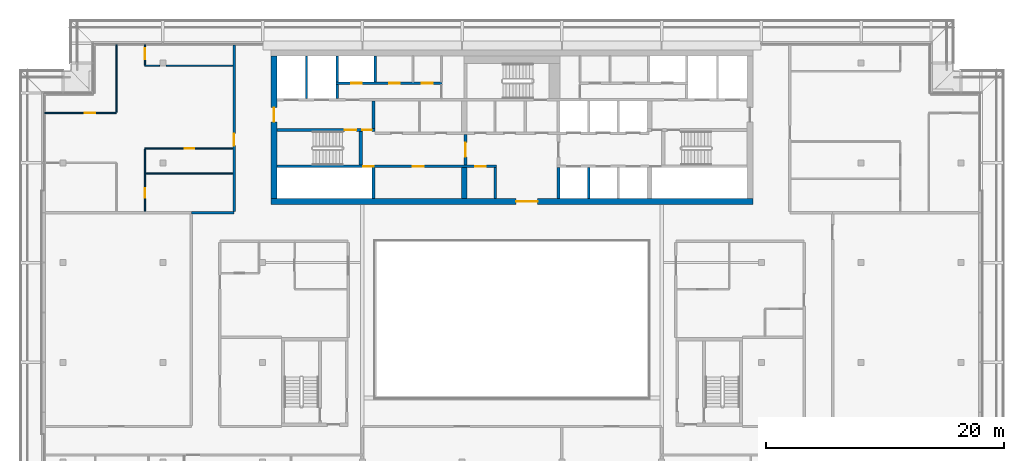
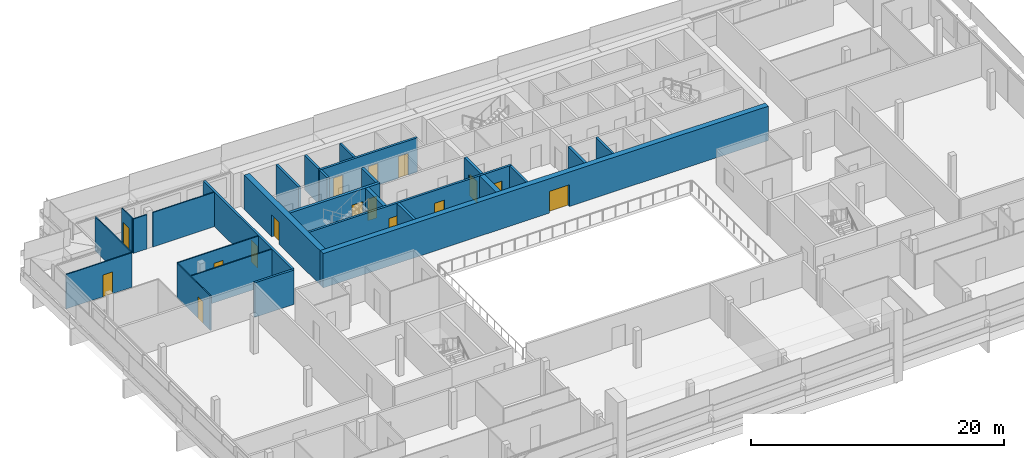
# One storey, part 19 of 33: 27 walls, 16 doors, 16 openings.
"""IFC4 building model written with IfcOpenShell, lengths in metres."""

from ifc_helpers import new_model, si_unit, direction, frame, frame_2d, origin, place, context, subcontext, project, spatial, rectangle, extrude, material, layer, layer_set, type_object, element, fill, save


model = new_model("IFC4")

# Units and contexts
model_context = context("Model", 3, precision=1e-05, world=origin(), true_north=direction((0.0, 1.0)))
body_context = subcontext(model_context, "Body", "Model", "MODEL_VIEW")
ifc_project = project(units=[si_unit("LENGTHUNIT", "METRE"), si_unit("AREAUNIT", "SQUARE_METRE"), si_unit("VOLUMEUNIT", "CUBIC_METRE"), si_unit("PLANEANGLEUNIT", "RADIAN"), si_unit("MASSUNIT", "GRAM", prefix="KILO")], contexts=[model_context])

# Site, building, storey
site_placement = place(None, origin())
site = spatial("IfcSite", under=ifc_project, at=site_placement, CompositionType="ELEMENT")
building_placement = place(site_placement, origin())
building = spatial("IfcBuilding", under=site, at=building_placement, Name="Saffron Gate Tower", CompositionType="ELEMENT")
storey_placement = place(building_placement, frame((0.0, 0.0, 263.550048828125)))
storey = spatial("IfcBuildingStorey", under=building, at=storey_placement, Name="L63", CompositionType="ELEMENT", Elevation=263.550048828125)

# Wall
ifc_material_1 = material(Name="Gypsum board partition on steel studs", Category="steel")
ifc_layer_1 = layer(ifc_material_1, 0.199951171875)
ifc_layer_set_1 = layer_set([ifc_layer_1], Name="CW10 Core partition 200")
wall_type_1 = type_object("IfcWallType", Name="CW10 Core partition 200", PredefinedType="PARTITIONING", material=ifc_layer_set_1)
wall_1_placement = place(storey_placement, frame((86.199951171875, 62.39990234375, 0.0), z_axis=(0.0, 0.0, 1.0), x_axis=(0.0, 1.0, 0.0)))
element("IfcWall", 1, at=wall_1_placement, inside=storey, type_object=wall_type_1, Name="Wall CW10-L63-7", PredefinedType="PARTITIONING", context=body_context, shape_type="SweptSolid", body=[
    extrude(rectangle(XDim=2.60009765625, YDim=0.199951171875, at=frame_2d((1.300048828125, 0.0))), origin(), (0.0, 0.0, 1.0), 3.320068359375),
])

# Wall, opening, door
ifc_material_2 = material(Name="Concrete C50", Category="concrete")
ifc_layer_2 = layer(ifc_material_2, 0.5)
ifc_layer_set_2 = layer_set([ifc_layer_2], Name="CW22 RC core wall 500 C50")
wall_type_2 = type_object("IfcWallType", Name="CW22 RC core wall 500 C50", PredefinedType="SOLIDWALL", material=ifc_layer_set_2)
wall_2_placement = place(storey_placement, frame((67.300048828125, 62.14990234375, 0.0), z_axis=(0.0, 0.0, 1.0), x_axis=(1.0, 0.0, 0.0)))
wall_2 = element("IfcWall", 2, at=wall_2_placement, inside=storey, type_object=wall_type_2, Name="Wall CW22-L63-1", PredefinedType="SOLIDWALL", context=body_context, shape_type="SweptSolid", body=[
    extrude(rectangle(XDim=40.599853515625, YDim=0.5, at=frame_2d((20.2998046875, 0.0))), origin(), (0.0, 0.0, 1.0), 3.320068359375),
])
opening_1_placement = place(wall_2_placement, frame((20.64990234375, 0.0, 0.0)))
opening_1 = element("IfcOpeningElement", 3, at=opening_1_placement, cuts=wall_2, Name="Opening CR-09", PredefinedType="OPENING", context=body_context, shape_type="SweptSolid", body=[
    extrude(rectangle(XDim=1.800048828125, YDim=2.10009765625, at=frame_2d((0.89990234375, 1.050048828125))), frame((0.0, 0.260009765625, 0.0), z_axis=(0.0, -1.0, 0.0), x_axis=(1.0, 0.0, 0.0)), (0.0, 0.0, 1.0), 0.52001953125),
])
ifc_material_3 = material(Name="Steel fire door set", Category="steel")
door_type_1 = type_object("IfcDoorType", Name="CD1 Core entrance door 1800x2100 EI 120", OperationType="NOTDEFINED", PredefinedType="DOOR", material=ifc_material_3)
door_1_placement = place(opening_1_placement, origin())
door_1 = element("IfcDoor", 4, at=door_1_placement, inside=storey, type_object=door_type_1, Name="DOOR CR-09", OperationType="DOUBLE_DOOR_SINGLE_SWING", OverallHeight=2.10009765625, OverallWidth=1.800048828125, PredefinedType="DOOR", context=body_context, shape_type="SweptSolid", body=[
    extrude(rectangle(XDim=1.800048828125, YDim=2.10009765625, at=frame_2d((0.89990234375, 1.050048828125))), frame((0.0, 0.02490234375, 0.0), z_axis=(0.0, -1.0, 0.0), x_axis=(1.0, 0.0, 0.0)), (0.0, 0.0, 1.0), 0.050048828125),
])
fill(opening_1, door_1)

wall_3_placement = place(storey_placement, frame((67.550048828125, 62.39990234375, 0.0), z_axis=(0.0, 0.0, 1.0), x_axis=(0.0, 1.0, 0.0)))
wall_3 = element("IfcWall", 5, at=wall_3_placement, inside=storey, type_object=wall_type_2, Name="Wall CW22-L63-3", PredefinedType="SOLIDWALL", context=body_context, shape_type="SweptSolid", body=[
    extrude(rectangle(XDim=12.0, YDim=0.5, at=frame_2d((6.0, 0.0))), origin(), (0.0, 0.0, 1.0), 3.320068359375),
])
opening_2_placement = place(wall_3_placement, frame((6.449951171875, 0.0, 0.0)))
opening_2 = element("IfcOpeningElement", 6, at=opening_2_placement, cuts=wall_3, Name="Opening CR-10", PredefinedType="OPENING", context=body_context, shape_type="SweptSolid", body=[
    extrude(rectangle(XDim=1.199951171875, YDim=2.10009765625, at=frame_2d((0.60009765625, 1.050048828125))), frame((0.0, 0.260009765625, 0.0), z_axis=(0.0, -1.0, 0.0), x_axis=(1.0, 0.0, 0.0)), (0.0, 0.0, 1.0), 0.52001953125),
])
door_type_2 = type_object("IfcDoorType", Name="CD7 Core entrance door 1200x2100 EI 120", OperationType="NOTDEFINED", PredefinedType="DOOR", material=ifc_material_3)
door_2_placement = place(opening_2_placement, origin())
door_2 = element("IfcDoor", 7, at=door_2_placement, inside=storey, type_object=door_type_2, Name="DOOR CR-10", OperationType="SINGLE_SWING_LEFT", OverallHeight=2.10009765625, OverallWidth=1.199951171875, PredefinedType="DOOR", context=body_context, shape_type="SweptSolid", body=[
    extrude(rectangle(XDim=1.199951171875, YDim=2.10009765625, at=frame_2d((0.60009765625, 1.050048828125))), frame((0.0, 0.02490234375, 0.0), z_axis=(0.0, -1.0, 0.0), x_axis=(1.0, 0.0, 0.0)), (0.0, 0.0, 1.0), 0.050048828125),
])
fill(opening_2, door_2)

# Walls
ifc_layer_3 = layer(ifc_material_2, 0.25)
ifc_layer_set_3 = layer_set([ifc_layer_3], Name="CW23 RC core wall 250 C50")
wall_type_3 = type_object("IfcWallType", Name="CW23 RC core wall 250 C50", PredefinedType="SOLIDWALL", material=ifc_layer_set_3)
for number, where, z_axis, x_axis, name in (
    (8, (75.925048828125, 62.39990234375, 0.0), (0.0, 0.0, 1.0), (0.0, 1.0, 0.0), "Wall CW23-L63-5"),
    (9, (91.52490234375, 62.39990234375, 0.0), (0.0, 0.0, 1.0), (0.0, 1.0, 0.0), "Wall CW23-L63-8"),
):
    element("IfcWall", number, at=place(storey_placement, frame(where, z_axis=z_axis, x_axis=x_axis)), inside=storey, type_object=wall_type_3, Name=name, PredefinedType="SOLIDWALL", context=body_context, shape_type="SweptSolid", body=[
        extrude(rectangle(XDim=2.60009765625, YDim=0.25, at=frame_2d((1.300048828125, 0.0))), origin(), (0.0, 0.0, 1.0), 3.320068359375),
    ])

# Wall, opening, door
wall_4_placement = place(storey_placement, frame((83.675048828125, 65.199951171875, 0.0), z_axis=(0.0, 0.0, 1.0), x_axis=(0.0, 1.0, 0.0)))
wall_4 = element("IfcWall", 10, at=wall_4_placement, inside=storey, type_object=wall_type_3, Name="Wall CW23-L63-15", PredefinedType="SOLIDWALL", context=body_context, shape_type="SweptSolid", body=[
    extrude(rectangle(XDim=2.60009765625, YDim=0.25, at=frame_2d((1.300048828125, 0.0))), origin(), (0.0, 0.0, 1.0), 3.320068359375),
])
opening_3_placement = place(wall_4_placement, frame((0.699951171875, 0.0, 0.0)))
opening_3 = element("IfcOpeningElement", 11, at=opening_3_placement, cuts=wall_4, Name="Opening CR-07", PredefinedType="OPENING", context=body_context, shape_type="SweptSolid", body=[
    extrude(rectangle(XDim=1.199951171875, YDim=2.10009765625, at=frame_2d((0.60009765625, 1.050048828125))), frame((0.0, 0.135009765625, 0.0), z_axis=(0.0, -1.0, 0.0), x_axis=(1.0, 0.0, 0.0)), (0.0, 0.0, 1.0), 0.27001953125),
])
door_type_3 = type_object("IfcDoorType", Name="CD3 Lobby door 1200x2100 EI 120", OperationType="NOTDEFINED", PredefinedType="DOOR", material=ifc_material_3)
door_3_placement = place(opening_3_placement, origin())
door_3 = element("IfcDoor", 12, at=door_3_placement, inside=storey, type_object=door_type_3, Name="DOOR CR-07", OperationType="SINGLE_SWING_RIGHT", OverallHeight=2.10009765625, OverallWidth=1.199951171875, PredefinedType="DOOR", context=body_context, shape_type="SweptSolid", body=[
    extrude(rectangle(XDim=1.199951171875, YDim=2.10009765625, at=frame_2d((0.60009765625, 1.050048828125))), frame((0.0, 0.02490234375, 0.0), z_axis=(0.0, -1.0, 0.0), x_axis=(1.0, 0.0, 0.0)), (0.0, 0.0, 1.0), 0.050048828125),
])
fill(opening_3, door_3)

# Wall, openings, doors
wall_5_placement = place(storey_placement, frame((67.800048828125, 68.175048828125, 0.0), z_axis=(0.0, 0.0, 1.0), x_axis=(1.0, 0.0, 0.0)))
wall_5 = element("IfcWall", 13, at=wall_5_placement, inside=storey, type_object=wall_type_3, Name="Wall CW23-L63-27", PredefinedType="SOLIDWALL", context=body_context, shape_type="SweptSolid", body=[
    extrude(rectangle(XDim=8.25, YDim=0.25, at=frame_2d((4.125, 0.0))), origin(), (0.0, 0.0, 1.0), 3.320068359375),
])
opening_4_placement = place(wall_5_placement, frame((5.699951171875, 0.0, 0.0)))
opening_4 = element("IfcOpeningElement", 14, at=opening_4_placement, cuts=wall_5, Name="Opening CR-15", PredefinedType="OPENING", context=body_context, shape_type="SweptSolid", body=[
    extrude(rectangle(XDim=1.0, YDim=2.10009765625, at=frame_2d((0.5, 1.050048828125))), frame((0.0, 0.135009765625, 0.0), z_axis=(0.0, -1.0, 0.0), x_axis=(1.0, 0.0, 0.0)), (0.0, 0.0, 1.0), 0.27001953125),
])
opening_5_placement = place(wall_5_placement, frame((7.199951171875, 0.0, 0.0)))
opening_5 = element("IfcOpeningElement", 15, at=opening_5_placement, cuts=wall_5, Name="Opening CR-06", PredefinedType="OPENING", context=body_context, shape_type="SweptSolid", body=[
    extrude(rectangle(XDim=0.800048828125, YDim=2.10009765625, at=frame_2d((0.39990234375, 1.050048828125))), frame((0.0, 0.135009765625, 0.0), z_axis=(0.0, -1.0, 0.0), x_axis=(1.0, 0.0, 0.0)), (0.0, 0.0, 1.0), 0.27001953125),
])
door_type_4 = type_object("IfcDoorType", Name="CD5 Stair door 1000x2100 EI 120", OperationType="NOTDEFINED", PredefinedType="DOOR", material=ifc_material_3)
door_4_placement = place(opening_4_placement, origin())
door_4 = element("IfcDoor", 16, at=door_4_placement, inside=storey, type_object=door_type_4, Name="DOOR CR-15", OperationType="SINGLE_SWING_RIGHT", OverallHeight=2.10009765625, OverallWidth=1.0, PredefinedType="DOOR", context=body_context, shape_type="SweptSolid", body=[
    extrude(rectangle(XDim=1.0, YDim=2.10009765625, at=frame_2d((0.5, 1.050048828125))), frame((0.0, 0.02490234375, 0.0), z_axis=(0.0, -1.0, 0.0), x_axis=(1.0, 0.0, 0.0)), (0.0, 0.0, 1.0), 0.050048828125),
])
fill(opening_4, door_4)
door_type_5 = type_object("IfcDoorType", Name="CD6 Lobby door 800x2100 EI 120", OperationType="NOTDEFINED", PredefinedType="DOOR", material=ifc_material_3)
door_5_placement = place(opening_5_placement, origin())
door_5 = element("IfcDoor", 17, at=door_5_placement, inside=storey, type_object=door_type_5, Name="DOOR CR-06", OperationType="SINGLE_SWING_LEFT", OverallHeight=2.10009765625, OverallWidth=0.800048828125, PredefinedType="DOOR", context=body_context, shape_type="SweptSolid", body=[
    extrude(rectangle(XDim=0.800048828125, YDim=2.10009765625, at=frame_2d((0.39990234375, 1.050048828125))), frame((0.0, 0.02490234375, 0.0), z_axis=(0.0, -1.0, 0.0), x_axis=(1.0, 0.0, 0.0)), (0.0, 0.0, 1.0), 0.050048828125),
])
fill(opening_5, door_5)

# Walls
wall_6_placement = place(storey_placement, frame((75.925048828125, 68.300048828125, 0.0), z_axis=(0.0, 0.0, 1.0), x_axis=(0.0, 1.0, 0.0)))
element("IfcWall", 18, at=wall_6_placement, inside=storey, type_object=wall_type_3, Name="Wall CW23-L63-29", PredefinedType="SOLIDWALL", context=body_context, shape_type="SweptSolid", body=[
    extrude(rectangle(XDim=2.300048828125, YDim=0.25, at=frame_2d((1.14990234375, 0.0))), origin(), (0.0, 0.0, 1.0), 3.320068359375),
])
ifc_layer_4 = layer(ifc_material_2, 0.449951171875)
ifc_layer_set_4 = layer_set([ifc_layer_4], Name="CW24 RC core wall 450 C50")
wall_type_4 = type_object("IfcWallType", Name="CW24 RC core wall 450 C50", PredefinedType="SOLIDWALL", material=ifc_layer_set_4)
wall_7_placement = place(storey_placement, frame((83.574951171875, 62.39990234375, 0.0), z_axis=(0.0, 0.0, 1.0), x_axis=(0.0, 1.0, 0.0)))
element("IfcWall", 19, at=wall_7_placement, inside=storey, type_object=wall_type_4, Name="Wall CW24-L63-6", PredefinedType="SOLIDWALL", context=body_context, shape_type="SweptSolid", body=[
    extrude(rectangle(XDim=2.60009765625, YDim=0.449951171875, at=frame_2d((1.300048828125, 0.0))), origin(), (0.0, 0.0, 1.0), 3.320068359375),
])
ifc_layer_5 = layer(ifc_material_2, 0.199951171875)
ifc_layer_set_5 = layer_set([ifc_layer_5], Name="CW25 RC core wall 200 C50")
wall_type_5 = type_object("IfcWallType", Name="CW25 RC core wall 200 C50", PredefinedType="SOLIDWALL", material=ifc_layer_set_5)
wall_8_placement = place(storey_placement, frame((94.050048828125, 62.39990234375, 0.0), z_axis=(0.0, 0.0, 1.0), x_axis=(0.0, 1.0, 0.0)))
element("IfcWall", 20, at=wall_8_placement, inside=storey, type_object=wall_type_5, Name="Wall CW25-L63-9", PredefinedType="SOLIDWALL", context=body_context, shape_type="SweptSolid", body=[
    extrude(rectangle(XDim=2.60009765625, YDim=0.199951171875, at=frame_2d((1.300048828125, 0.0))), origin(), (0.0, 0.0, 1.0), 3.320068359375),
])

# Wall, openings, doors
wall_9_placement = place(storey_placement, frame((67.800048828125, 65.10009765625, 0.0), z_axis=(0.0, 0.0, 1.0), x_axis=(1.0, 0.0, 0.0)))
wall_9 = element("IfcWall", 21, at=wall_9_placement, inside=storey, type_object=wall_type_5, Name="Wall CW25-L63-12", PredefinedType="SOLIDWALL", context=body_context, shape_type="SweptSolid", body=[
    extrude(rectangle(XDim=18.5, YDim=0.199951171875, at=frame_2d((9.25, 0.0))), origin(), (0.0, 0.0, 1.0), 3.320068359375),
])
opening_6_placement = place(wall_9_placement, frame((7.27001953125, 0.0, 0.0)))
opening_6 = element("IfcOpeningElement", 22, at=opening_6_placement, cuts=wall_9, Name="Opening CR-49", PredefinedType="OPENING", context=body_context, shape_type="SweptSolid", body=[
    extrude(rectangle(XDim=0.89990234375, YDim=2.10009765625, at=frame_2d((0.449951171875, 1.050048828125))), frame((0.0, 0.10986328125, 0.0), z_axis=(0.0, -1.0, 0.0), x_axis=(1.0, 0.0, 0.0)), (0.0, 0.0, 1.0), 0.219970703125),
])
opening_7_placement = place(wall_9_placement, frame((11.449951171875, 0.0, 0.0)))
opening_7 = element("IfcOpeningElement", 23, at=opening_7_placement, cuts=wall_9, Name="Opening CR-64", PredefinedType="OPENING", context=body_context, shape_type="SweptSolid", body=[
    extrude(rectangle(XDim=0.89990234375, YDim=2.10009765625, at=frame_2d((0.449951171875, 1.050048828125))), frame((0.0, 0.10986328125, 0.0), z_axis=(0.0, -1.0, 0.0), x_axis=(1.0, 0.0, 0.0)), (0.0, 0.0, 1.0), 0.219970703125),
])
opening_8_placement = place(wall_9_placement, frame((16.699951171875, 0.0, 0.0)))
opening_8 = element("IfcOpeningElement", 24, at=opening_8_placement, cuts=wall_9, Name="Opening CR-69", PredefinedType="OPENING", context=body_context, shape_type="SweptSolid", body=[
    extrude(rectangle(XDim=0.89990234375, YDim=2.10009765625, at=frame_2d((0.449951171875, 1.050048828125))), frame((0.0, 0.10986328125, 0.0), z_axis=(0.0, -1.0, 0.0), x_axis=(1.0, 0.0, 0.0)), (0.0, 0.0, 1.0), 0.219970703125),
])
door_type_6 = type_object("IfcDoorType", Name="CD2 Riser door 900x2100 EI 60", OperationType="NOTDEFINED", PredefinedType="DOOR", material=ifc_material_3)
door_6_placement = place(opening_6_placement, origin())
door_6 = element("IfcDoor", 25, at=door_6_placement, inside=storey, type_object=door_type_6, Name="DOOR CR-49", OperationType="SINGLE_SWING_LEFT", OverallHeight=2.10009765625, OverallWidth=0.89990234375, PredefinedType="DOOR", context=body_context, shape_type="SweptSolid", body=[
    extrude(rectangle(XDim=0.89990234375, YDim=2.10009765625, at=frame_2d((0.449951171875, 1.050048828125))), frame((0.0, 0.02490234375, 0.0), z_axis=(0.0, -1.0, 0.0), x_axis=(1.0, 0.0, 0.0)), (0.0, 0.0, 1.0), 0.050048828125),
])
fill(opening_6, door_6)
door_type_7 = type_object("IfcDoorType", Name="CD9 Room door 900x2100 EI 60", OperationType="NOTDEFINED", PredefinedType="DOOR", material=ifc_material_3)
door_7_placement = place(opening_7_placement, origin())
door_7 = element("IfcDoor", 26, at=door_7_placement, inside=storey, type_object=door_type_7, Name="DOOR CR-64", OperationType="SINGLE_SWING_RIGHT", OverallHeight=2.10009765625, OverallWidth=0.89990234375, PredefinedType="DOOR", context=body_context, shape_type="SweptSolid", body=[
    extrude(rectangle(XDim=0.89990234375, YDim=2.10009765625, at=frame_2d((0.449951171875, 1.050048828125))), frame((0.0, 0.02490234375, 0.0), z_axis=(0.0, -1.0, 0.0), x_axis=(1.0, 0.0, 0.0)), (0.0, 0.0, 1.0), 0.050048828125),
])
fill(opening_7, door_7)
door_8_placement = place(opening_8_placement, origin())
door_8 = element("IfcDoor", 27, at=door_8_placement, inside=storey, type_object=door_type_7, Name="DOOR CR-69", OperationType="SINGLE_SWING_RIGHT", OverallHeight=2.10009765625, OverallWidth=0.89990234375, PredefinedType="DOOR", context=body_context, shape_type="SweptSolid", body=[
    extrude(rectangle(XDim=0.89990234375, YDim=2.10009765625, at=frame_2d((0.449951171875, 1.050048828125))), frame((0.0, 0.02490234375, 0.0), z_axis=(0.0, -1.0, 0.0), x_axis=(1.0, 0.0, 0.0)), (0.0, 0.0, 1.0), 0.050048828125),
])
fill(opening_8, door_8)

# Walls
wall_10_placement = place(storey_placement, frame((70.300048828125, 70.800048828125, 0.0), z_axis=(0.0, 0.0, 1.0), x_axis=(0.0, 1.0, 0.0)))
element("IfcWall", 28, at=wall_10_placement, inside=storey, type_object=wall_type_5, Name="Wall CW25-L63-32", PredefinedType="SOLIDWALL", context=body_context, shape_type="SweptSolid", body=[
    extrude(rectangle(XDim=3.599853515625, YDim=0.199951171875, at=frame_2d((1.7998046875, 0.0))), origin(), (0.0, 0.0, 1.0), 3.320068359375),
])
wall_11_placement = place(storey_placement, frame((72.89990234375, 70.800048828125, 0.0), z_axis=(0.0, 0.0, 1.0), x_axis=(0.0, 1.0, 0.0)))
element("IfcWall", 29, at=wall_11_placement, inside=storey, type_object=wall_type_5, Name="Wall CW25-L63-33", PredefinedType="SOLIDWALL", context=body_context, shape_type="SweptSolid", body=[
    extrude(rectangle(XDim=1.199951171875, YDim=0.199951171875, at=frame_2d((0.60009765625, 0.0))), origin(), (0.0, 0.0, 1.0), 3.320068359375),
])

# Wall, openings, doors
wall_12_placement = place(storey_placement, frame((72.800048828125, 72.10009765625, 0.0), z_axis=(0.0, 0.0, 1.0), x_axis=(1.0, 0.0, 0.0)))
wall_12 = element("IfcWall", 30, at=wall_12_placement, inside=storey, type_object=wall_type_5, Name="Wall CW25-L63-40", PredefinedType="SOLIDWALL", context=body_context, shape_type="SweptSolid", body=[
    extrude(rectangle(XDim=8.919921875, YDim=0.199951171875, at=frame_2d((4.4599609375, 0.0))), origin(), (0.0, 0.0, 1.0), 3.320068359375),
])
opening_9_placement = place(wall_12_placement, frame((1.25, 0.0, 0.0)))
opening_9 = element("IfcOpeningElement", 31, at=opening_9_placement, cuts=wall_12, Name="Opening CR-71", PredefinedType="OPENING", context=body_context, shape_type="SweptSolid", body=[
    extrude(rectangle(XDim=0.89990234375, YDim=2.10009765625, at=frame_2d((0.449951171875, 1.050048828125))), frame((0.0, 0.10986328125, 0.0), z_axis=(0.0, -1.0, 0.0), x_axis=(1.0, 0.0, 0.0)), (0.0, 0.0, 1.0), 0.219970703125),
])
opening_10_placement = place(wall_12_placement, frame((4.449951171875, 0.0, 0.0)))
opening_10 = element("IfcOpeningElement", 32, at=opening_10_placement, cuts=wall_12, Name="Opening CR-55", PredefinedType="OPENING", context=body_context, shape_type="SweptSolid", body=[
    extrude(rectangle(XDim=0.89990234375, YDim=2.10009765625, at=frame_2d((0.449951171875, 1.050048828125))), frame((0.0, 0.10986328125, 0.0), z_axis=(0.0, -1.0, 0.0), x_axis=(1.0, 0.0, 0.0)), (0.0, 0.0, 1.0), 0.219970703125),
])
opening_11_placement = place(wall_12_placement, frame((7.2099609375, 0.0, 0.0)))
opening_11 = element("IfcOpeningElement", 33, at=opening_11_placement, cuts=wall_12, Name="Opening CR-58", PredefinedType="OPENING", context=body_context, shape_type="SweptSolid", body=[
    extrude(rectangle(XDim=0.89990234375, YDim=2.10009765625, at=frame_2d((0.449951171875, 1.050048828125))), frame((0.0, 0.10986328125, 0.0), z_axis=(0.0, -1.0, 0.0), x_axis=(1.0, 0.0, 0.0)), (0.0, 0.0, 1.0), 0.219970703125),
])
door_9_placement = place(opening_9_placement, origin())
door_9 = element("IfcDoor", 34, at=door_9_placement, inside=storey, type_object=door_type_6, Name="DOOR CR-71", OperationType="SINGLE_SWING_LEFT", OverallHeight=2.10009765625, OverallWidth=0.89990234375, PredefinedType="DOOR", context=body_context, shape_type="SweptSolid", body=[
    extrude(rectangle(XDim=0.89990234375, YDim=2.10009765625, at=frame_2d((0.449951171875, 1.050048828125))), frame((0.0, 0.02490234375, 0.0), z_axis=(0.0, -1.0, 0.0), x_axis=(1.0, 0.0, 0.0)), (0.0, 0.0, 1.0), 0.050048828125),
])
fill(opening_9, door_9)
door_10_placement = place(opening_10_placement, origin())
door_10 = element("IfcDoor", 35, at=door_10_placement, inside=storey, type_object=door_type_7, Name="DOOR CR-55", OperationType="SINGLE_SWING_LEFT", OverallHeight=2.10009765625, OverallWidth=0.89990234375, PredefinedType="DOOR", context=body_context, shape_type="SweptSolid", body=[
    extrude(rectangle(XDim=0.89990234375, YDim=2.10009765625, at=frame_2d((0.449951171875, 1.050048828125))), frame((0.0, 0.02490234375, 0.0), z_axis=(0.0, -1.0, 0.0), x_axis=(1.0, 0.0, 0.0)), (0.0, 0.0, 1.0), 0.050048828125),
])
fill(opening_10, door_10)
door_11_placement = place(opening_11_placement, origin())
door_11 = element("IfcDoor", 36, at=door_11_placement, inside=storey, type_object=door_type_7, Name="DOOR CR-58", OperationType="SINGLE_SWING_LEFT", OverallHeight=2.10009765625, OverallWidth=0.89990234375, PredefinedType="DOOR", context=body_context, shape_type="SweptSolid", body=[
    extrude(rectangle(XDim=0.89990234375, YDim=2.10009765625, at=frame_2d((0.449951171875, 1.050048828125))), frame((0.0, 0.02490234375, 0.0), z_axis=(0.0, -1.0, 0.0), x_axis=(1.0, 0.0, 0.0)), (0.0, 0.0, 1.0), 0.050048828125),
])
fill(opening_11, door_11)

# Walls
for number, where, z_axis, x_axis, name in (
    (37, (72.89990234375, 72.199951171875, 0.0), (0.0, 0.0, 1.0), (0.0, 1.0, 0.0), "Wall CW25-L63-42"),
    (38, (76.10009765625, 72.199951171875, 0.0), (0.0, 0.0, 1.0), (0.0, 1.0, 0.0), "Wall CW25-L63-43"),
):
    element("IfcWall", number, at=place(storey_placement, frame(where, z_axis=z_axis, x_axis=x_axis)), inside=storey, type_object=wall_type_5, Name=name, PredefinedType="SOLIDWALL", context=body_context, shape_type="SweptSolid", body=[
        extrude(rectangle(XDim=2.199951171875, YDim=0.199951171875, at=frame_2d((1.10009765625, 0.0))), origin(), (0.0, 0.0, 1.0), 3.320068359375),
    ])
ifc_layer_6 = layer(ifc_material_2, 0.300048828125)
ifc_layer_set_6 = layer_set([ifc_layer_6], Name="CW26 RC core wall 300 C50")
wall_type_6 = type_object("IfcWallType", Name="CW26 RC core wall 300 C50", PredefinedType="SOLIDWALL", material=ifc_layer_set_6)
wall_13_placement = place(storey_placement, frame((74.85009765625, 65.199951171875, 0.0), z_axis=(0.0, 0.0, 1.0), x_axis=(0.0, 1.0, 0.0)))
element("IfcWall", 39, at=wall_13_placement, inside=storey, type_object=wall_type_6, Name="Wall CW26-L63-14", PredefinedType="SOLIDWALL", context=body_context, shape_type="SweptSolid", body=[
    extrude(rectangle(XDim=2.85009765625, YDim=0.300048828125, at=frame_2d((1.425048828125, 0.0))), origin(), (0.0, 0.0, 1.0), 3.320068359375),
])
ifc_material_4 = material(Name="Plasterboard on steel studs", Category="steel")
ifc_layer_7 = layer(ifc_material_4, 0.10009765625)
ifc_layer_set_7 = layer_set([ifc_layer_7], Name="PW1 Partition 100")
wall_type_7 = type_object("IfcWallType", Name="PW1 Partition 100", PredefinedType="PARTITIONING", material=ifc_layer_set_7)
wall_14_placement = place(storey_placement, frame((56.75, 64.5, 0.0), z_axis=(0.0, 0.0, 1.0), x_axis=(1.0, 0.0, 0.0)))
element("IfcWall", 40, at=wall_14_placement, inside=storey, type_object=wall_type_7, Name="Partition E1-29", PredefinedType="PARTITIONING", context=body_context, shape_type="SweptSolid", body=[
    extrude(rectangle(XDim=7.35009765625, YDim=0.10009765625, at=frame_2d((3.675048828125, 0.0))), origin(), (0.0, 0.0, 1.0), 3.320068359375),
])

# Wall, opening, door
wall_15_placement = place(storey_placement, frame((64.10009765625, 66.60009765625, 0.0), z_axis=(0.0, 0.0, 1.0), x_axis=(-1.0, 0.0, 0.0)))
wall_15 = element("IfcWall", 41, at=wall_15_placement, inside=storey, type_object=wall_type_7, Name="Partition E1-32", PredefinedType="PARTITIONING", context=body_context, shape_type="SweptSolid", body=[
    extrude(rectangle(XDim=7.400146484375, YDim=0.10009765625, at=frame_2d((3.7001953125, 0.0))), origin(), (0.0, 0.0, 1.0), 3.320068359375),
])
opening_12_placement = place(wall_15_placement, frame((3.25, 0.0, 0.0)))
opening_12 = element("IfcOpeningElement", 42, at=opening_12_placement, cuts=wall_15, Name="Opening E1-31", PredefinedType="OPENING", context=body_context, shape_type="SweptSolid", body=[
    extrude(rectangle(XDim=0.800048828125, YDim=2.10009765625, at=frame_2d((0.39990234375, 1.050048828125))), frame((0.0, 0.06005859375, 0.0), z_axis=(0.0, -1.0, 0.0), x_axis=(1.0, 0.0, 0.0)), (0.0, 0.0, 1.0), 0.1201171875),
])
ifc_material_5 = material(Name="Timber door set", Category="wood")
door_type_8 = type_object("IfcDoorType", Name="RD2 Bathroom door 800x2100", OperationType="NOTDEFINED", PredefinedType="DOOR", material=ifc_material_5)
door_12_placement = place(opening_12_placement, origin())
door_12 = element("IfcDoor", 43, at=door_12_placement, inside=storey, type_object=door_type_8, Name="Door E1-31", OperationType="SINGLE_SWING_LEFT", OverallHeight=2.10009765625, OverallWidth=0.800048828125, PredefinedType="DOOR", context=body_context, shape_type="SweptSolid", body=[
    extrude(rectangle(XDim=0.800048828125, YDim=2.10009765625, at=frame_2d((0.39990234375, 1.050048828125))), frame((0.0, 0.02490234375, 0.0), z_axis=(0.0, -1.0, 0.0), x_axis=(1.0, 0.0, 0.0)), (0.0, 0.0, 1.0), 0.050048828125),
])
fill(opening_12, door_12)

wall_16_placement = place(storey_placement, frame((48.280029296875, 69.60009765625, 0.0), z_axis=(0.0, 0.0, 1.0), x_axis=(1.0, 0.0, 0.0)))
wall_16 = element("IfcWall", 44, at=wall_16_placement, inside=storey, type_object=wall_type_7, Name="Partition E1-34", PredefinedType="PARTITIONING", context=body_context, shape_type="SweptSolid", body=[
    extrude(rectangle(XDim=6.02001953125, YDim=0.10009765625, at=frame_2d((3.010009765625, 0.0))), origin(), (0.0, 0.0, 1.0), 3.320068359375),
])
opening_13_placement = place(wall_16_placement, frame((3.3388671875, 0.0, 0.0)))
opening_13 = element("IfcOpeningElement", 45, at=opening_13_placement, cuts=wall_16, Name="Opening E1-19", PredefinedType="OPENING", context=body_context, shape_type="SweptSolid", body=[
    extrude(rectangle(XDim=0.89990234375, YDim=2.10009765625, at=frame_2d((0.449951171875, 1.050048828125))), frame((0.0, 0.06005859375, 0.0), z_axis=(0.0, -1.0, 0.0), x_axis=(1.0, 0.0, 0.0)), (0.0, 0.0, 1.0), 0.1201171875),
])
door_type_9 = type_object("IfcDoorType", Name="RD1 Room door 900x2100", OperationType="NOTDEFINED", PredefinedType="DOOR", material=ifc_material_5)
door_13_placement = place(opening_13_placement, origin())
door_13 = element("IfcDoor", 46, at=door_13_placement, inside=storey, type_object=door_type_9, Name="Door E1-19", OperationType="SINGLE_SWING_RIGHT", OverallHeight=2.10009765625, OverallWidth=0.89990234375, PredefinedType="DOOR", context=body_context, shape_type="SweptSolid", body=[
    extrude(rectangle(XDim=0.89990234375, YDim=2.10009765625, at=frame_2d((0.449951171875, 1.050048828125))), frame((0.0, 0.02490234375, 0.0), z_axis=(0.0, -1.0, 0.0), x_axis=(1.0, 0.0, 0.0)), (0.0, 0.0, 1.0), 0.050048828125),
])
fill(opening_13, door_13)

# Walls
wall_17_placement = place(storey_placement, frame((56.699951171875, 73.566650390625, 0.0), z_axis=(0.0, 0.0, 1.0), x_axis=(1.0, 0.0, 0.0)))
element("IfcWall", 47, at=wall_17_placement, inside=storey, type_object=wall_type_7, Name="Partition E1-37", PredefinedType="PARTITIONING", context=body_context, shape_type="SweptSolid", body=[
    extrude(rectangle(XDim=1.22998046875, YDim=0.10009765625, at=frame_2d((0.614990234375, 0.0))), origin(), (0.0, 0.0, 1.0), 3.320068359375),
])
wall_18_placement = place(storey_placement, frame((58.469970703125, 73.566650390625, 0.0), z_axis=(0.0, 0.0, 1.0), x_axis=(1.0, 0.0, 0.0)))
element("IfcWall", 48, at=wall_18_placement, inside=storey, type_object=wall_type_7, Name="Partition E1-38", PredefinedType="PARTITIONING", context=body_context, shape_type="SweptSolid", body=[
    extrude(rectangle(XDim=5.630126953125, YDim=0.10009765625, at=frame_2d((2.81494140625, 0.0))), origin(), (0.0, 0.0, 1.0), 3.320068359375),
])
wall_19_placement = place(storey_placement, frame((54.300048828125, 75.320068359375, 0.0), z_axis=(0.0, 0.0, 1.0), x_axis=(0.0, -1.0, 0.0)))
element("IfcWall", 49, at=wall_19_placement, inside=storey, type_object=wall_type_7, Name="Partition E1-42", PredefinedType="PARTITIONING", context=body_context, shape_type="SweptSolid", body=[
    extrude(rectangle(XDim=5.670166015625, YDim=0.10009765625, at=frame_2d((2.8349609375, 0.0))), origin(), (0.0, 0.0, 1.0), 3.320068359375),
])

# Wall, opening, door
wall_20_placement = place(storey_placement, frame((56.699951171875, 66.550048828125, 0.0), z_axis=(0.0, 0.0, 1.0), x_axis=(0.0, -1.0, 0.0)))
wall_20 = element("IfcWall", 50, at=wall_20_placement, inside=storey, type_object=wall_type_7, Name="Partition E1-43", PredefinedType="PARTITIONING", context=body_context, shape_type="SweptSolid", body=[
    extrude(rectangle(XDim=5.25, YDim=0.10009765625, at=frame_2d((2.625, 0.0))), origin(), (0.0, 0.0, 1.0), 3.320068359375),
])
opening_14_placement = place(wall_20_placement, frame((3.300048828125, 0.0, 0.0)))
opening_14 = element("IfcOpeningElement", 51, at=opening_14_placement, cuts=wall_20, Name="Opening E1-30", PredefinedType="OPENING", context=body_context, shape_type="SweptSolid", body=[
    extrude(rectangle(XDim=0.800048828125, YDim=2.10009765625, at=frame_2d((0.39990234375, 1.050048828125))), frame((0.0, 0.06005859375, 0.0), z_axis=(0.0, -1.0, 0.0), x_axis=(1.0, 0.0, 0.0)), (0.0, 0.0, 1.0), 0.1201171875),
])
door_14_placement = place(opening_14_placement, origin())
door_14 = element("IfcDoor", 52, at=door_14_placement, inside=storey, type_object=door_type_8, Name="Door E1-30", OperationType="SINGLE_SWING_RIGHT", OverallHeight=2.10009765625, OverallWidth=0.800048828125, PredefinedType="DOOR", context=body_context, shape_type="SweptSolid", body=[
    extrude(rectangle(XDim=0.800048828125, YDim=2.10009765625, at=frame_2d((0.39990234375, 1.050048828125))), frame((0.0, 0.02490234375, 0.0), z_axis=(0.0, -1.0, 0.0), x_axis=(1.0, 0.0, 0.0)), (0.0, 0.0, 1.0), 0.050048828125),
])
fill(opening_14, door_14)

wall_21_placement = place(storey_placement, frame((56.699951171875, 75.320068359375, 0.0), z_axis=(0.0, 0.0, 1.0), x_axis=(0.0, -1.0, 0.0)))
wall_21 = element("IfcWall", 53, at=wall_21_placement, inside=storey, type_object=wall_type_7, Name="Partition E1-44", PredefinedType="PARTITIONING", context=body_context, shape_type="SweptSolid", body=[
    extrude(rectangle(XDim=1.703369140625, YDim=0.10009765625, at=frame_2d((0.8515625, 0.0))), origin(), (0.0, 0.0, 1.0), 3.320068359375),
])
opening_15_placement = place(wall_21_placement, frame((0.28662109375, 0.0, 0.0)))
opening_15 = element("IfcOpeningElement", 54, at=opening_15_placement, cuts=wall_21, Name="Opening E1-20", PredefinedType="OPENING", context=body_context, shape_type="SweptSolid", body=[
    extrude(rectangle(XDim=0.89990234375, YDim=2.10009765625, at=frame_2d((0.449951171875, 1.050048828125))), frame((0.0, 0.06005859375, 0.0), z_axis=(0.0, -1.0, 0.0), x_axis=(1.0, 0.0, 0.0)), (0.0, 0.0, 1.0), 0.1201171875),
])
door_15_placement = place(opening_15_placement, origin())
door_15 = element("IfcDoor", 55, at=door_15_placement, inside=storey, type_object=door_type_9, Name="Door E1-20", OperationType="SINGLE_SWING_LEFT", OverallHeight=2.10009765625, OverallWidth=0.89990234375, PredefinedType="DOOR", context=body_context, shape_type="SweptSolid", body=[
    extrude(rectangle(XDim=0.89990234375, YDim=2.10009765625, at=frame_2d((0.449951171875, 1.050048828125))), frame((0.0, 0.02490234375, 0.0), z_axis=(0.0, -1.0, 0.0), x_axis=(1.0, 0.0, 0.0)), (0.0, 0.0, 1.0), 0.050048828125),
])
fill(opening_15, door_15)

# Wall
ifc_material_6 = material(Name="Clay brick masonry, rendered", Category="masonry")
ifc_layer_8 = layer(ifc_material_6, 0.199951171875)
ifc_layer_set_8 = layer_set([ifc_layer_8], Name="PW3 Corridor wall 200")
wall_type_8 = type_object("IfcWallType", Name="PW3 Corridor wall 200", PredefinedType="PARTITIONING", material=ifc_layer_set_8)
wall_22_placement = place(storey_placement, frame((60.60009765625, 61.199951171875, 0.0), z_axis=(0.0, 0.0, 1.0), x_axis=(1.0, 0.0, 0.0)))
element("IfcWall", 56, at=wall_22_placement, inside=storey, type_object=wall_type_8, Name="Wall E1-24", PredefinedType="PARTITIONING", context=body_context, shape_type="SweptSolid", body=[
    extrude(rectangle(XDim=3.599853515625, YDim=0.199951171875, at=frame_2d((1.7998046875, 0.0))), origin(), (0.0, 0.0, 1.0), 3.320068359375),
])

# Wall, opening, door
wall_23_placement = place(storey_placement, frame((64.199951171875, 61.300048828125, 0.0), z_axis=(0.0, 0.0, 1.0), x_axis=(0.0, 1.0, 0.0)))
wall_23 = element("IfcWall", 57, at=wall_23_placement, inside=storey, type_object=wall_type_8, Name="Wall E1-51", PredefinedType="PARTITIONING", context=body_context, shape_type="SweptSolid", body=[
    extrude(rectangle(XDim=14.02001953125, YDim=0.199951171875, at=frame_2d((7.010009765625, 0.0))), origin(), (0.0, 0.0, 1.0), 3.320068359375),
])
opening_16_placement = place(wall_23_placement, frame((5.550048828125, 0.0, 0.0)))
opening_16 = element("IfcOpeningElement", 58, at=opening_16_placement, cuts=wall_23, Name="Opening E1-3", PredefinedType="OPENING", context=body_context, shape_type="SweptSolid", body=[
    extrude(rectangle(XDim=1.0, YDim=2.10009765625, at=frame_2d((0.5, 1.050048828125))), frame((0.0, 0.10986328125, 0.0), z_axis=(0.0, -1.0, 0.0), x_axis=(1.0, 0.0, 0.0)), (0.0, 0.0, 1.0), 0.219970703125),
])
ifc_material_7 = material(Name="Timber fire door set", Category="wood")
door_type_10 = type_object("IfcDoorType", Name="FD1 Flat entry door 1000x2100", OperationType="NOTDEFINED", PredefinedType="DOOR", material=ifc_material_7)
door_16_placement = place(opening_16_placement, origin())
door_16 = element("IfcDoor", 59, at=door_16_placement, inside=storey, type_object=door_type_10, Name="Door E1-3", OperationType="SINGLE_SWING_LEFT", OverallHeight=2.10009765625, OverallWidth=1.0, PredefinedType="DOOR", context=body_context, shape_type="SweptSolid", body=[
    extrude(rectangle(XDim=1.0, YDim=2.10009765625, at=frame_2d((0.5, 1.050048828125))), frame((0.0, 0.02490234375, 0.0), z_axis=(0.0, -1.0, 0.0), x_axis=(1.0, 0.0, 0.0)), (0.0, 0.0, 1.0), 0.050048828125),
])
fill(opening_16, door_16)

save(model, "model.ifc")
